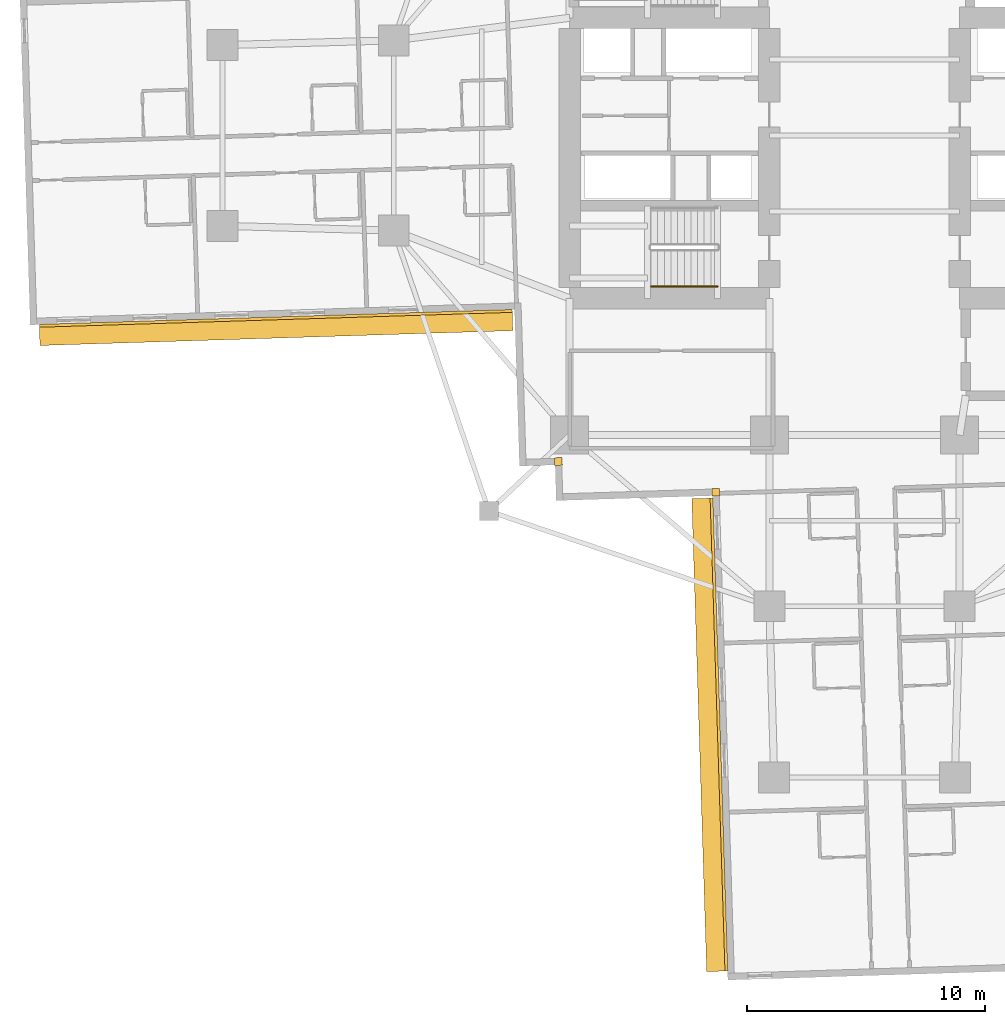
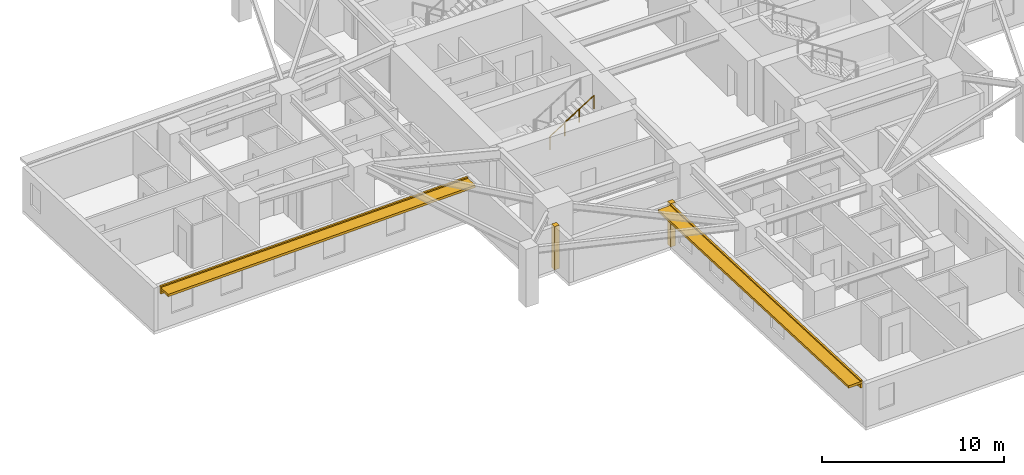
# One storey, part 11 of 15: 4 coverings, 2 shading devices, 1 railing.
"""IFC4 building model written with IfcOpenShell, lengths in metres."""

from ifc_helpers import new_model, si_unit, direction, frame, origin, origin_2d, place, context, subcontext, project, spatial, rectangle, circle, extrude, material, layer, layer_set, type_object, element, save


model = new_model("IFC4")

# Units and contexts
model_context = context("Model", 3, precision=1e-05, world=origin(), true_north=direction((0.0, 1.0)))
body_context = subcontext(model_context, "Body", "Model", "MODEL_VIEW")
ifc_project = project(units=[si_unit("LENGTHUNIT", "METRE"), si_unit("AREAUNIT", "SQUARE_METRE"), si_unit("VOLUMEUNIT", "CUBIC_METRE"), si_unit("PLANEANGLEUNIT", "RADIAN"), si_unit("MASSUNIT", "GRAM", prefix="KILO")], contexts=[model_context])

# Site, building, storey
site_placement = place(None, origin())
site = spatial("IfcSite", under=ifc_project, at=site_placement, CompositionType="ELEMENT")
building_placement = place(site_placement, origin())
building = spatial("IfcBuilding", under=site, at=building_placement, Name="Qingluan Cross Belvedere", CompositionType="ELEMENT")
storey_placement = place(building_placement, frame((0.0, 0.0, 31.5)))
storey = spatial("IfcBuildingStorey", under=building, at=storey_placement, Name="L08", CompositionType="ELEMENT", Elevation=31.5)

# Coverings
ifc_material_1 = material(Name="Precast concrete C45", Category="concrete")
ifc_layer_1 = layer(ifc_material_1, 0.1201171875, Name="ConcreteSpandrelCladding_120")
ifc_layer_set_1 = layer_set([ifc_layer_1], Name="Precast concrete C45")
covering_type = type_object("IfcCoveringType", Name="ConcreteSpandrelCladding_120", PredefinedType="CLADDING", material=ifc_layer_set_1)
for number, where, z_axis, x_axis, name in (
    (1, (-24.760498046875, -7.691650390625, 2.449951171875), (0.0, 0.0, 1.0), (0.999506649124, 0.031407934627, 0.0), "Spandrel cladding L08-WB"),
    (2, (-6.12158203125, -25.194580078125, 2.449951171875), (0.0, 0.0, 1.0), (0.031407934627, -0.999506649124, 0.0), "Spandrel cladding L08-SA"),
):
    element("IfcCovering", number, at=place(storey_placement, frame(where, z_axis=z_axis, x_axis=x_axis)), inside=storey, type_object=covering_type, Name=name, PredefinedType="CLADDING", context=body_context, shape_type="SweptSolid", body=[
        extrude(rectangle(XDim=19.89990234375, YDim=0.1201171875, at=origin_2d()), origin(), (0.0, 0.0, 1.0), 0.52001953125),
    ])
for number, where, z_axis, x_axis, name in (
    (3, (-12.875732421875, -13.711181640625, 0.0), (0.0, 0.0, 1.0), (0.999506560366, 0.031410759078, 0.0), "Corner closure L08-SW1"),
    (4, (-6.251708984375, -15.00390625, 0.0), (0.0, 0.0, 1.0), (0.999506560366, 0.031410759078, 0.0), "Corner closure L08-SW2"),
):
    element("IfcCovering", number, at=place(storey_placement, frame(where, z_axis=z_axis, x_axis=x_axis)), inside=storey, type_object=covering_type, Name=name, PredefinedType="CLADDING", context=body_context, shape_type="SweptSolid", body=[
        extrude(rectangle(XDim=0.320068359375, YDim=0.320068359375, at=origin_2d()), origin(), (0.0, 0.0, 1.0), 2.909912109375),
    ])

# Shading devices
ifc_material_2 = material(Name="Precast concrete C45", Category="concrete")
ifc_layer_2 = layer(ifc_material_2, 0.159912109375, Name="ConcreteSunshadeBand_900")
ifc_layer_set_2 = layer_set([ifc_layer_2], Name="Precast concrete C45")
shading_device_type = type_object("IfcShadingDeviceType", Name="ConcreteSunshadeBand_900", PredefinedType="USERDEFINED", material=ifc_layer_set_2)
for number, where, z_axis, x_axis, name in (
    (5, (-24.74853515625, -8.0712890625, 2.72998046875), (0.0, 0.0, 1.0), (0.999506649124, 0.031407934627, 0.0), "Concrete SUNSHADE L08-WB"),
    (6, (-6.50146484375, -25.206787109375, 2.72998046875), (0.0, 0.0, 1.0), (0.031407934627, -0.999506649124, 0.0), "Concrete SUNSHADE L08-SA"),
):
    element("IfcShadingDevice", number, at=place(storey_placement, frame(where, z_axis=z_axis, x_axis=x_axis)), inside=storey, type_object=shading_device_type, Name=name, ObjectType="SUNSHADE", PredefinedType="USERDEFINED", context=body_context, shape_type="SweptSolid", body=[
        extrude(rectangle(XDim=19.89990234375, YDim=0.89990234375, at=origin_2d()), origin(), (0.0, 0.0, 1.0), 0.159912109375),
    ])

# Railing
ifc_material_3 = material(Name="Brushed stainless steel tubular handrail", Category="steel")
railing_type = type_object("IfcRailingType", Name="StairPitchHandrail_900", PredefinedType="HANDRAIL", material=ifc_material_3)
railing_placement = place(storey_placement, frame((-8.97998046875, -6.35009765625, 2.127197265625)))
element("IfcRailing", 7, at=railing_placement, inside=storey, type_object=railing_type, Name="L08 ST1 stair handrail 2", PredefinedType="HANDRAIL", context=body_context, shape_type="SweptSolid", body=[
    extrude(circle(Radius=0.02392578125, at=origin_2d()), frame((0.0, 0.0, 0.8759765625), z_axis=(0.844908973607, 0.0, 0.534910110503), x_axis=(0.0, 1.0, 0.0)), (0.0, 0.0, 1.0), 3.31396484375),
    extrude(circle(Radius=0.02099609375, at=origin_2d()), origin(), (0.0, 0.0, 1.0), 0.851806640625),
    extrude(circle(Radius=0.02099609375, at=origin_2d()), frame((0.933349609375, 0.0, 0.5908203125)), (0.0, 0.0, 1.0), 0.851806640625),
    extrude(circle(Radius=0.02099609375, at=origin_2d()), frame((1.86669921875, 0.0, 1.181884765625)), (0.0, 0.0, 1.0), 0.851806640625),
    extrude(circle(Radius=0.02099609375, at=origin_2d()), frame((2.800048828125, 0.0, 1.772705078125)), (0.0, 0.0, 1.0), 0.851806640625),
])

save(model, "model.ifc")
